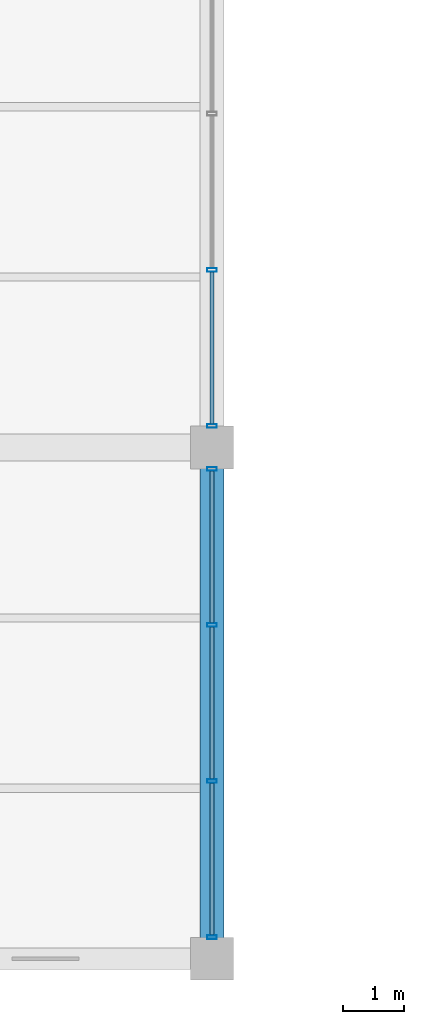
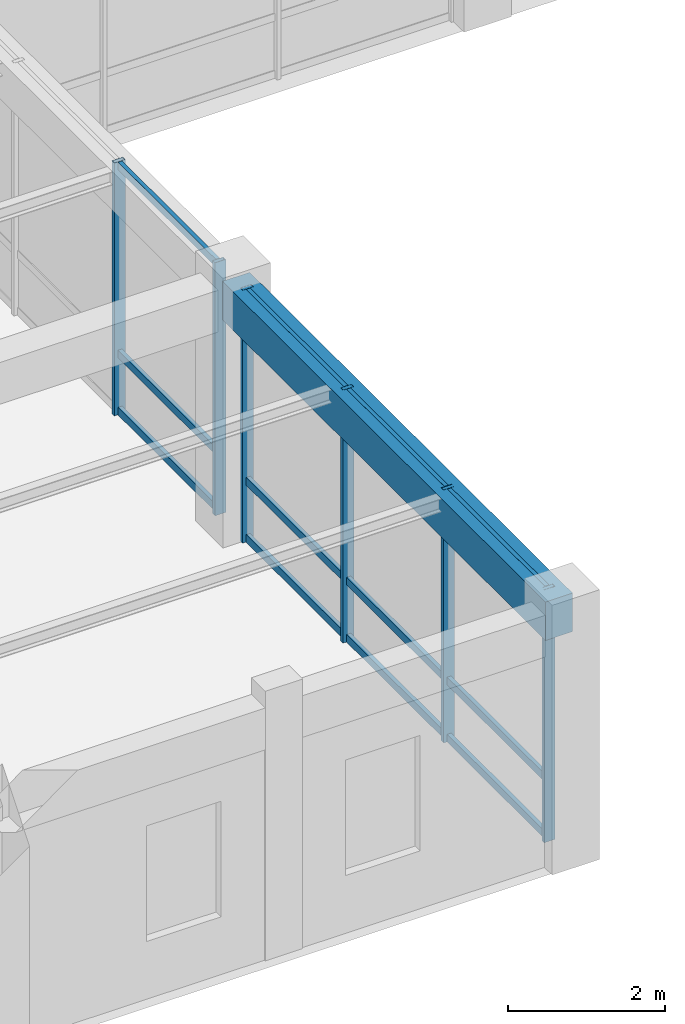
# One storey, part 10 of 152: 18 members, 1 beam, 2 elements without a shape of their own.
"""IFC4 building model written with IfcOpenShell, lengths in metres."""

from ifc_helpers import new_model, si_unit, direction, frame, origin, origin_2d, place, context, subcontext, project, spatial, rectangle, hollow_rectangle, extrude, material, material_profile, profile_set, type_object, element, aggregate, save


model = new_model("IFC4")

# Units and contexts
model_context = context("Model", 3, precision=1e-05, world=origin(), true_north=direction((0.0, 1.0)))
body_context = subcontext(model_context, "Body", "Model", "MODEL_VIEW")
ifc_project = project(units=[si_unit("LENGTHUNIT", "METRE"), si_unit("AREAUNIT", "SQUARE_METRE"), si_unit("VOLUMEUNIT", "CUBIC_METRE"), si_unit("PLANEANGLEUNIT", "RADIAN"), si_unit("MASSUNIT", "GRAM", prefix="KILO"), si_unit("THERMODYNAMICTEMPERATUREUNIT", "KELVIN"), si_unit("POWERUNIT", "WATT")], contexts=[model_context])

# Site, building, storey
site_placement = place(None, origin())
site = spatial("IfcSite", under=ifc_project, at=site_placement, CompositionType="ELEMENT")
building_placement = place(site_placement, origin())
building = spatial("IfcBuilding", under=site, at=building_placement, Name="Darbajah Civic Hall", CompositionType="ELEMENT")
storey_placement = place(building_placement, frame((0.0, 0.0, 5.39990234375)))
storey = spatial("IfcBuildingStorey", under=building, at=storey_placement, Name="L01", CompositionType="ELEMENT", Elevation=5.39990234375)

# Curtain wall, members
ifc_material_1 = material(Name="Anodised Bronze Aluminium and Low-E Glazing", Category="aluminium")
curtain_wall_type = type_object("IfcCurtainWallType", Name="Unitised Curtain Wall CW-99 7700x3950", PredefinedType="USERDEFINED", material=ifc_material_1)
curtain_wall_1_placement = place(storey_placement, origin())
curtain_wall_1 = element("IfcCurtainWall", 1, at=curtain_wall_1_placement, inside=storey, type_object=curtain_wall_type, Name="L01 unitised curtain wall CW-V5-L01-S1-B0", ObjectType="UNITISED CURTAIN WALL", PredefinedType="USERDEFINED")
ifc_material_2 = material(Name="Anodised Bronze Aluminium", Category="aluminium")
ifc_material_profile_1 = material_profile(ifc_material_2, hollow_rectangle(XDim=0.06005859375, YDim=0.159912109375, WallThickness=0.00341796875, at=origin_2d()), Name="ALU MULLION 60x160")
ifc_profile_set_1 = profile_set([ifc_material_profile_1], Name="Anodised Bronze Aluminium")
member_type_1 = type_object("IfcMemberType", Name="ALU MULLION 60x160", PredefinedType="MULLION", material=ifc_profile_set_1)
member_1_placement = place(storey_placement, frame((16.800048828125, 0.35205078125, 0.0), z_axis=(0.0, 0.0, 1.0), x_axis=(0.0, 1.0, 0.0)))
member_1 = element("IfcMember", 2, at=member_1_placement, type_object=member_type_1, Name="CW-V5-L01-S1-B0 mullion 1", PredefinedType="MULLION", context=body_context, shape_type="SweptSolid", body=[
    extrude(hollow_rectangle(XDim=0.06005859375, YDim=0.159912109375, WallThickness=0.00341796875, at=origin_2d()), origin(), (0.0, 0.0, 1.0), 3.940185546875),
])
member_2_placement = place(storey_placement, frame((16.800048828125, 2.917236328125, 0.0), z_axis=(0.0, 0.0, 1.0), x_axis=(0.0, 1.0, 0.0)))
member_2 = element("IfcMember", 3, at=member_2_placement, type_object=member_type_1, Name="CW-V5-L01-S1-B0 mullion 2", PredefinedType="MULLION", context=body_context, shape_type="SweptSolid", body=[
    extrude(hollow_rectangle(XDim=0.06005859375, YDim=0.159912109375, WallThickness=0.00341796875, at=origin_2d()), origin(), (0.0, 0.0, 1.0), 3.940185546875),
])
member_3_placement = place(storey_placement, frame((16.800048828125, 5.482666015625, 0.0), z_axis=(0.0, 0.0, 1.0), x_axis=(0.0, 1.0, 0.0)))
member_3 = element("IfcMember", 4, at=member_3_placement, type_object=member_type_1, Name="CW-V5-L01-S1-B0 mullion 3", PredefinedType="MULLION", context=body_context, shape_type="SweptSolid", body=[
    extrude(hollow_rectangle(XDim=0.06005859375, YDim=0.159912109375, WallThickness=0.00341796875, at=origin_2d()), origin(), (0.0, 0.0, 1.0), 3.940185546875),
])
member_4_placement = place(storey_placement, frame((16.800048828125, 8.048095703125, 0.0), z_axis=(0.0, 0.0, 1.0), x_axis=(0.0, 1.0, 0.0)))
member_4 = element("IfcMember", 5, at=member_4_placement, type_object=member_type_1, Name="CW-V5-L01-S1-B0 mullion 4", PredefinedType="MULLION", context=body_context, shape_type="SweptSolid", body=[
    extrude(hollow_rectangle(XDim=0.06005859375, YDim=0.159912109375, WallThickness=0.00341796875, at=origin_2d()), origin(), (0.0, 0.0, 1.0), 3.940185546875),
])

curtain_wall_2_placement = place(storey_placement, origin())
curtain_wall_2 = element("IfcCurtainWall", 6, at=curtain_wall_2_placement, inside=storey, type_object=curtain_wall_type, Name="L01 unitised curtain wall CW-V5-L01-S1-B1", ObjectType="UNITISED CURTAIN WALL", PredefinedType="USERDEFINED")
member_5_placement = place(storey_placement, frame((16.800048828125, 8.751953125, 0.0), z_axis=(0.0, 0.0, 1.0), x_axis=(0.0, 1.0, 0.0)))
member_5 = element("IfcMember", 7, at=member_5_placement, type_object=member_type_1, Name="CW-V5-L01-S1-B1 mullion 1", PredefinedType="MULLION", context=body_context, shape_type="SweptSolid", body=[
    extrude(hollow_rectangle(XDim=0.06005859375, YDim=0.159912109375, WallThickness=0.00341796875, at=origin_2d()), origin(), (0.0, 0.0, 1.0), 3.940185546875),
])
member_6_placement = place(storey_placement, frame((16.800048828125, 11.3173828125, 0.0), z_axis=(0.0, 0.0, 1.0), x_axis=(0.0, 1.0, 0.0)))
member_6 = element("IfcMember", 8, at=member_6_placement, type_object=member_type_1, Name="CW-V5-L01-S1-B1 mullion 2", PredefinedType="MULLION", context=body_context, shape_type="SweptSolid", body=[
    extrude(hollow_rectangle(XDim=0.06005859375, YDim=0.159912109375, WallThickness=0.00341796875, at=origin_2d()), origin(), (0.0, 0.0, 1.0), 3.940185546875),
])

# Member
ifc_material_profile_2 = material_profile(ifc_material_2, hollow_rectangle(XDim=0.06005859375, YDim=0.1201171875, WallThickness=0.003173828125, at=origin_2d()), Name="ALU TRANSOM 60x120")
ifc_profile_set_2 = profile_set([ifc_material_profile_2], Name="Anodised Bronze Aluminium")
member_type_2 = type_object("IfcMemberType", Name="ALU TRANSOM 60x120", PredefinedType="USERDEFINED", material=ifc_profile_set_2)
member_7_placement = place(storey_placement, frame((16.800048828125, 0.386962890625, 0.06005859375), z_axis=(0.0, 1.0, 0.0), x_axis=(-1.0, 0.0, 0.0)))
member_7 = element("IfcMember", 9, at=member_7_placement, type_object=member_type_2, Name="CW-V5-L01-S1-B0 transom 1.1", ObjectType="TRANSOM", PredefinedType="USERDEFINED", context=body_context, shape_type="SweptSolid", body=[
    extrude(hollow_rectangle(XDim=0.06005859375, YDim=0.1201171875, WallThickness=0.003173828125, at=origin_2d()), origin(), (0.0, 0.0, 1.0), 2.495361328125),
])

member_8_placement = place(storey_placement, frame((16.800048828125, 0.386962890625, 0.9501953125), z_axis=(0.0, 1.0, 0.0), x_axis=(-1.0, 0.0, 0.0)))
member_8 = element("IfcMember", 10, at=member_8_placement, type_object=member_type_2, Name="CW-V5-L01-S1-B0 transom 1.2", ObjectType="TRANSOM", PredefinedType="USERDEFINED", context=body_context, shape_type="SweptSolid", body=[
    extrude(hollow_rectangle(XDim=0.06005859375, YDim=0.1201171875, WallThickness=0.003173828125, at=origin_2d()), origin(), (0.0, 0.0, 1.0), 2.495361328125),
])

member_9_placement = place(storey_placement, frame((16.800048828125, 0.386962890625, 3.880126953125), z_axis=(0.0, 1.0, 0.0), x_axis=(-1.0, 0.0, 0.0)))
member_9 = element("IfcMember", 11, at=member_9_placement, type_object=member_type_2, Name="CW-V5-L01-S1-B0 transom 1.3", ObjectType="TRANSOM", PredefinedType="USERDEFINED", context=body_context, shape_type="SweptSolid", body=[
    extrude(hollow_rectangle(XDim=0.06005859375, YDim=0.1201171875, WallThickness=0.003173828125, at=origin_2d()), origin(), (0.0, 0.0, 1.0), 2.495361328125),
])

member_10_placement = place(storey_placement, frame((16.800048828125, 2.952392578125, 0.06005859375), z_axis=(0.0, 1.0, 0.0), x_axis=(-1.0, 0.0, 0.0)))
member_10 = element("IfcMember", 12, at=member_10_placement, type_object=member_type_2, Name="CW-V5-L01-S1-B0 transom 2.1", ObjectType="TRANSOM", PredefinedType="USERDEFINED", context=body_context, shape_type="SweptSolid", body=[
    extrude(hollow_rectangle(XDim=0.06005859375, YDim=0.1201171875, WallThickness=0.003173828125, at=origin_2d()), origin(), (0.0, 0.0, 1.0), 2.495361328125),
])

member_11_placement = place(storey_placement, frame((16.800048828125, 2.952392578125, 0.9501953125), z_axis=(0.0, 1.0, 0.0), x_axis=(-1.0, 0.0, 0.0)))
member_11 = element("IfcMember", 13, at=member_11_placement, type_object=member_type_2, Name="CW-V5-L01-S1-B0 transom 2.2", ObjectType="TRANSOM", PredefinedType="USERDEFINED", context=body_context, shape_type="SweptSolid", body=[
    extrude(hollow_rectangle(XDim=0.06005859375, YDim=0.1201171875, WallThickness=0.003173828125, at=origin_2d()), origin(), (0.0, 0.0, 1.0), 2.495361328125),
])

member_12_placement = place(storey_placement, frame((16.800048828125, 2.952392578125, 3.880126953125), z_axis=(0.0, 1.0, 0.0), x_axis=(-1.0, 0.0, 0.0)))
member_12 = element("IfcMember", 14, at=member_12_placement, type_object=member_type_2, Name="CW-V5-L01-S1-B0 transom 2.3", ObjectType="TRANSOM", PredefinedType="USERDEFINED", context=body_context, shape_type="SweptSolid", body=[
    extrude(hollow_rectangle(XDim=0.06005859375, YDim=0.1201171875, WallThickness=0.003173828125, at=origin_2d()), origin(), (0.0, 0.0, 1.0), 2.495361328125),
])

member_13_placement = place(storey_placement, frame((16.800048828125, 5.517578125, 0.06005859375), z_axis=(0.0, 1.0, 0.0), x_axis=(-1.0, 0.0, 0.0)))
member_13 = element("IfcMember", 15, at=member_13_placement, type_object=member_type_2, Name="CW-V5-L01-S1-B0 transom 3.1", ObjectType="TRANSOM", PredefinedType="USERDEFINED", context=body_context, shape_type="SweptSolid", body=[
    extrude(hollow_rectangle(XDim=0.06005859375, YDim=0.1201171875, WallThickness=0.003173828125, at=origin_2d()), origin(), (0.0, 0.0, 1.0), 2.495361328125),
])

member_14_placement = place(storey_placement, frame((16.800048828125, 5.517578125, 0.9501953125), z_axis=(0.0, 1.0, 0.0), x_axis=(-1.0, 0.0, 0.0)))
member_14 = element("IfcMember", 16, at=member_14_placement, type_object=member_type_2, Name="CW-V5-L01-S1-B0 transom 3.2", ObjectType="TRANSOM", PredefinedType="USERDEFINED", context=body_context, shape_type="SweptSolid", body=[
    extrude(hollow_rectangle(XDim=0.06005859375, YDim=0.1201171875, WallThickness=0.003173828125, at=origin_2d()), origin(), (0.0, 0.0, 1.0), 2.495361328125),
])

member_15_placement = place(storey_placement, frame((16.800048828125, 5.517578125, 3.880126953125), z_axis=(0.0, 1.0, 0.0), x_axis=(-1.0, 0.0, 0.0)))
member_15 = element("IfcMember", 17, at=member_15_placement, type_object=member_type_2, Name="CW-V5-L01-S1-B0 transom 3.3", ObjectType="TRANSOM", PredefinedType="USERDEFINED", context=body_context, shape_type="SweptSolid", body=[
    extrude(hollow_rectangle(XDim=0.06005859375, YDim=0.1201171875, WallThickness=0.003173828125, at=origin_2d()), origin(), (0.0, 0.0, 1.0), 2.495361328125),
])

aggregate(curtain_wall_1, [member_1, member_2, member_3, member_4, member_7, member_8, member_9, member_10, member_11, member_12, member_13, member_14, member_15])

member_16_placement = place(storey_placement, frame((16.800048828125, 8.787109375, 0.06005859375), z_axis=(0.0, 1.0, 0.0), x_axis=(-1.0, 0.0, 0.0)))
member_16 = element("IfcMember", 18, at=member_16_placement, type_object=member_type_2, Name="CW-V5-L01-S1-B1 transom 1.1", ObjectType="TRANSOM", PredefinedType="USERDEFINED", context=body_context, shape_type="SweptSolid", body=[
    extrude(hollow_rectangle(XDim=0.06005859375, YDim=0.1201171875, WallThickness=0.003173828125, at=origin_2d()), origin(), (0.0, 0.0, 1.0), 2.4951171875),
])

member_17_placement = place(storey_placement, frame((16.800048828125, 8.787109375, 0.9501953125), z_axis=(0.0, 1.0, 0.0), x_axis=(-1.0, 0.0, 0.0)))
member_17 = element("IfcMember", 19, at=member_17_placement, type_object=member_type_2, Name="CW-V5-L01-S1-B1 transom 1.2", ObjectType="TRANSOM", PredefinedType="USERDEFINED", context=body_context, shape_type="SweptSolid", body=[
    extrude(hollow_rectangle(XDim=0.06005859375, YDim=0.1201171875, WallThickness=0.003173828125, at=origin_2d()), origin(), (0.0, 0.0, 1.0), 2.4951171875),
])

member_18_placement = place(storey_placement, frame((16.800048828125, 8.787109375, 3.880126953125), z_axis=(0.0, 1.0, 0.0), x_axis=(-1.0, 0.0, 0.0)))
member_18 = element("IfcMember", 20, at=member_18_placement, type_object=member_type_2, Name="CW-V5-L01-S1-B1 transom 1.3", ObjectType="TRANSOM", PredefinedType="USERDEFINED", context=body_context, shape_type="SweptSolid", body=[
    extrude(hollow_rectangle(XDim=0.06005859375, YDim=0.1201171875, WallThickness=0.003173828125, at=origin_2d()), origin(), (0.0, 0.0, 1.0), 2.4951171875),
])

aggregate(curtain_wall_2, [member_5, member_6, member_16, member_17, member_18])

# Beam
ifc_material_3 = material(Name="Concrete C45/55", Category="concrete")
ifc_material_profile_3 = material_profile(ifc_material_3, rectangle(XDim=0.39990234375, YDim=0.60009765625, at=origin_2d()), Name="RC BEAM 400x600")
ifc_profile_set_3 = profile_set([ifc_material_profile_3], Name="Concrete C45/55")
beam_type = type_object("IfcBeamType", Name="RC BEAM 400x600", PredefinedType="BEAM", material=ifc_profile_set_3)
beam_placement = place(storey_placement, frame((16.800048828125, 0.080078125, 3.64013671875), z_axis=(0.0, 1.0, 0.0), x_axis=(-1.0, 0.0, 0.0)))
element("IfcBeam", 21, at=beam_placement, inside=storey, type_object=beam_type, Name="L01 beam BM-4060", PredefinedType="BEAM", context=body_context, shape_type="SweptSolid", body=[
    extrude(rectangle(XDim=0.39990234375, YDim=0.60009765625, at=origin_2d()), origin(), (0.0, 0.0, 1.0), 8.239990234375),
])

save(model, "model.ifc")
